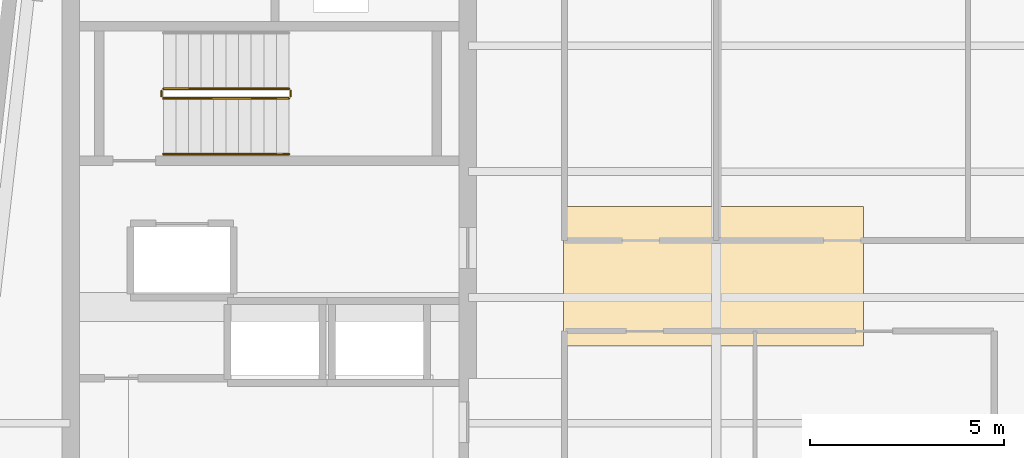
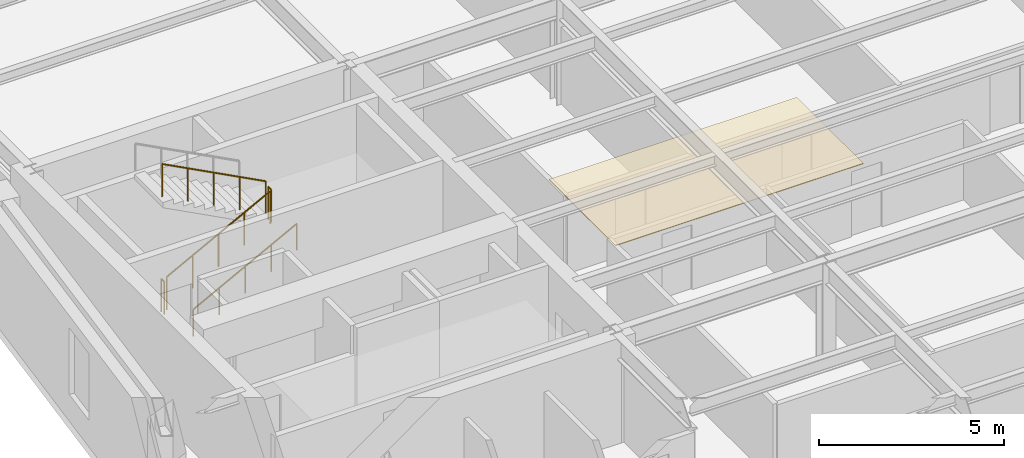
# One storey, part 11 of 14: 5 railings, 1 covering.
"""IFC4 building model written with IfcOpenShell, lengths in metres."""

import ifcopenshell
import ifcopenshell.guid

model = None  # the IFC model being written
_history = None  # IfcOwnerHistory: only IFC2X3 demands one
_inside = {}  # id of a spatial element -> (the spatial element, [elements in it])
_under = {}  # id of a project, library or spatial element -> (it, [spatial elements below it])
_declared = {}  # id of a project -> (the project, [libraries it declares])
_typed = {}  # id of a type object -> (the type object, [elements of that type])
_made_of = {}  # id of a material, layer set ... -> (it, [elements and type objects made of it])


def new_model(schema):
    """Start an empty IFC model of exactly this schema.

    Asked for "IFC4X3", IfcOpenShell would pick the latest addendum, in which some entities
    have other attributes; the version numbers below select the first issue.
    IFC2X3 requires an IfcOwnerHistory on every rooted entity: one is made here for all.
    """
    global model, _history
    if schema == "IFC4X3":
        model = ifcopenshell.file(schema_version=(4, 3, 0, 0))
    else:
        model = ifcopenshell.file(schema=schema)
    _inside.clear()
    _under.clear()
    _declared.clear()
    _typed.clear()
    _made_of.clear()
    _history = None
    if model.schema == "IFC2X3":
        org = make("IfcOrganization", Name="unknown")
        user = make(
            "IfcPersonAndOrganization",
            ThePerson=make("IfcPerson", FamilyName="unknown"),
            TheOrganization=org,
        )
        app = make(
            "IfcApplication",
            ApplicationDeveloper=org,
            Version="unknown",
            ApplicationFullName="unknown",
            ApplicationIdentifier="unknown",
        )
        _history = make(
            "IfcOwnerHistory",
            OwningUser=user,
            OwningApplication=app,
            ChangeAction="ADDED",
            CreationDate=0,
        )
    return model


def make(cls, **values):
    """One entity of the class cls with the attributes given. An attribute that is None is left unset."""
    return model.create_entity(
        cls, **{name: value for name, value in values.items() if value is not None}
    )


def rooted(cls, **values):
    """An entity with a GlobalId (a new one), such as an element, a storey or a relation."""
    return make(cls, GlobalId=ifcopenshell.guid.new(), OwnerHistory=_history, **values)


def si_unit(unit_type, name, prefix=None):
    """IfcSIUnit, for example si_unit("LENGTHUNIT", "METRE", prefix="MILLI")."""
    return make("IfcSIUnit", UnitType=unit_type, Prefix=prefix, Name=name)


def assignment(units):
    """IfcUnitAssignment: the units of a project."""
    return None if units is None else make("IfcUnitAssignment", Units=units)


def point(xyz):
    """IfcCartesianPoint."""
    return None if xyz is None else make("IfcCartesianPoint", Coordinates=xyz)


def direction(xyz):
    """IfcDirection."""
    return None if xyz is None else make("IfcDirection", DirectionRatios=xyz)


def frame(location, z_axis=None, x_axis=None):
    """IfcAxis2Placement3D, a coordinate frame: its origin and axes. An axis left out is left unset."""
    return make(
        "IfcAxis2Placement3D",
        Location=point(location),
        Axis=direction(z_axis),
        RefDirection=direction(x_axis),
    )


def frame_2d(location, x_axis=None):
    """IfcAxis2Placement2D, a coordinate frame in the plane: its origin and x axis."""
    return make(
        "IfcAxis2Placement2D", Location=point(location), RefDirection=direction(x_axis)
    )


def origin():
    """The frame at (0, 0, 0) with its axes left unset."""
    return frame((0.0, 0.0, 0.0))


def origin_2d():
    """The frame at (0, 0) in the plane with its x axis left unset."""
    return frame_2d((0.0, 0.0))


def place(relative_to, where):
    """IfcLocalPlacement: puts the frame where relative to a parent placement (None: the world)."""
    return make(
        "IfcLocalPlacement", PlacementRelTo=relative_to, RelativePlacement=where
    )


def context(
    kind, dimensions, precision=None, world=None, true_north=None, identifier=None
):
    """IfcGeometricRepresentationContext, for example the 3D "Model" context."""
    return make(
        "IfcGeometricRepresentationContext",
        ContextIdentifier=identifier,
        ContextType=kind,
        CoordinateSpaceDimension=dimensions,
        Precision=precision,
        WorldCoordinateSystem=world,
        TrueNorth=true_north,
    )


def subcontext(parent, identifier, kind, view, scale=None):
    """IfcGeometricRepresentationSubContext, for example "Body" below "Model"."""
    return make(
        "IfcGeometricRepresentationSubContext",
        ContextIdentifier=identifier,
        ContextType=kind,
        ParentContext=parent,
        TargetScale=scale,
        TargetView=view,
    )


def project(units=None, contexts=None):
    """IfcProject with its units and contexts."""
    return rooted(
        "IfcProject",
        Name="project",
        RepresentationContexts=contexts,
        UnitsInContext=assignment(units),
    )


def spatial(cls, under=None, at=None, **own):
    """A site, building, storey or space (cls), placed at a placement, below another one or the project."""
    s = rooted(cls, ObjectPlacement=at, **own)
    if under is not None:
        _under.setdefault(under.id(), (under, []))[1].append(s)
    return s


def polyline(points):
    """IfcPolyline through the points."""
    return make("IfcPolyline", Points=[point(p) for p in points])


def profile(cls, at=None, kind="AREA", **sizes):
    """A parametric profile (cls). Its sizes go by their IFC names, for example OverallWidth=200.0."""
    return make(cls, ProfileType=kind, Position=at, **sizes)


def circle(**sizes):
    """IfcCircleProfileDef."""
    return profile("IfcCircleProfileDef", **sizes)


def outline(outer, holes=None, kind="AREA"):
    """IfcArbitraryClosedProfileDef: a profile drawn as a closed curve; with holes, ...WithVoids."""
    if holes is None:
        return make("IfcArbitraryClosedProfileDef", ProfileType=kind, OuterCurve=outer)
    return make(
        "IfcArbitraryProfileDefWithVoids",
        ProfileType=kind,
        OuterCurve=outer,
        InnerCurves=holes,
    )


def extrude(swept, where, along, depth):
    """IfcExtrudedAreaSolid: the profile swept, set in the frame where, extruded along a direction by depth."""
    return make(
        "IfcExtrudedAreaSolid",
        SweptArea=swept,
        Position=where,
        ExtrudedDirection=direction(along),
        Depth=depth,
    )


def shape(context_of_items, identifier, shape_type, items):
    """IfcShapeRepresentation: the items that make up one representation, for example the "Body"."""
    return make(
        "IfcShapeRepresentation",
        ContextOfItems=context_of_items,
        RepresentationIdentifier=identifier,
        RepresentationType=shape_type,
        Items=items,
    )


def material(Name=None, Category=None):
    """IfcMaterial."""
    return make("IfcMaterial", Name=Name, Category=Category)


def layer(
    of_material, thickness, ventilated=None, Name=None, Category=None, Priority=None
):
    """IfcMaterialLayer: one layer of a wall or slab, of a material (None: an air gap)."""
    return make(
        "IfcMaterialLayer",
        Material=of_material,
        LayerThickness=thickness,
        IsVentilated=ventilated,
        Name=Name,
        Category=Category,
        Priority=Priority,
    )


def layer_set(layers, Name=None):
    """IfcMaterialLayerSet."""
    return make("IfcMaterialLayerSet", MaterialLayers=layers, LayerSetName=Name)


def made_of(thing, what):
    """Note that an element or type object is made of a material, layer set ...; save() writes the relation."""
    if what is not None:
        _made_of.setdefault(what.id(), (what, []))[1].append(thing)
    return thing


def type_object(cls, material=None, **own):
    """A type object (cls), such as IfcWallType, which elements share."""
    return made_of(rooted(cls, **own), material)


def element(
    cls,
    number,
    at=None,
    inside=None,
    cuts=None,
    type_object=None,
    material=None,
    context=None,
    identifier="Body",
    shape_type=None,
    held_by="IfcProductDefinitionShape",
    body=None,
    shapes=None,
    **own,
):
    """One element of the class cls, such as IfcWall. Its Tag is "e" and its number.

    at: its placement. inside: the storey or other place that contains it. cuts: it is an
    opening in that element (IfcRelVoidsElement). A single representation is given by context,
    identifier, shape_type and body (its items); several are given by shapes. held_by: the class
    of the entity that holds the representations. save() writes the other relations.
    """
    e = rooted(cls, Tag="e%d" % number, ObjectPlacement=at, **own)
    if body is not None:
        shapes = [shape(context, identifier, shape_type, body)]
    if shapes is not None:
        e.Representation = make(held_by, Representations=shapes)
    if inside is not None:
        _inside.setdefault(inside.id(), (inside, []))[1].append(e)
    if cuts is not None:
        rooted(
            "IfcRelVoidsElement", RelatingBuildingElement=cuts, RelatedOpeningElement=e
        )
    if type_object is not None:
        _typed.setdefault(type_object.id(), (type_object, []))[1].append(e)
    return made_of(e, material)


def aggregate(whole, parts):
    """IfcRelAggregates: a whole, such as a stair, and the parts it consists of."""
    return rooted("IfcRelAggregates", RelatingObject=whole, RelatedObjects=parts)


def save(model, path):
    """Write the relations noted so far, then the file.

    IfcRelAggregates (storeys below a building ...), IfcRelContainedInSpatialStructure (elements
    in a storey), IfcRelDefinesByType, IfcRelAssociatesMaterial and IfcRelDeclares: one each for
    every whole, place, type object, material and project.
    """
    for whole, parts in _under.values():
        aggregate(whole, parts)
    for where, things in _inside.values():
        rooted(
            "IfcRelContainedInSpatialStructure",
            RelatedElements=things,
            RelatingStructure=where,
        )
    for kind, things in _typed.values():
        rooted("IfcRelDefinesByType", RelatedObjects=things, RelatingType=kind)
    for what, things in _made_of.values():
        rooted("IfcRelAssociatesMaterial", RelatedObjects=things, RelatingMaterial=what)
    for by, libraries in _declared.values():
        rooted("IfcRelDeclares", RelatingContext=by, RelatedDefinitions=libraries)
    model.write(path)


model = new_model("IFC4")

# Units and contexts
model_context = context("Model", 3, precision=1e-05, world=origin(), true_north=direction((0.0, 1.0)))
body_context = subcontext(model_context, "Body", "Model", "MODEL_VIEW")
ifc_project = project(units=[si_unit("LENGTHUNIT", "METRE"), si_unit("AREAUNIT", "SQUARE_METRE"), si_unit("VOLUMEUNIT", "CUBIC_METRE"), si_unit("PLANEANGLEUNIT", "RADIAN"), si_unit("MASSUNIT", "GRAM", prefix="KILO")], contexts=[model_context])

# Site, building, storey
site_placement = place(None, origin())
site = spatial("IfcSite", under=ifc_project, at=site_placement, CompositionType="ELEMENT")
building_placement = place(site_placement, origin())
building = spatial("IfcBuilding", under=site, at=building_placement, Name="Kolvaren Arena Tower", CompositionType="ELEMENT")
storey_placement = place(building_placement, frame((0.0, 0.0, 224.699951171875)))
storey = spatial("IfcBuildingStorey", under=building, at=storey_placement, Name="L54", CompositionType="ELEMENT", Elevation=224.699951171875)

# Covering
ifc_material_1 = material(Name="Mineral fibre acoustic ceiling tile", Category="gypsum")
ifc_layer = layer(ifc_material_1, 0.02490234375)
ifc_layer_set = layer_set([ifc_layer], Name="Mineral fibre acoustic ceiling tile")
covering_type = type_object("IfcCoveringType", Name="CEIL-ACT-1", PredefinedType="CEILING", material=ifc_layer_set)
covering_placement = place(storey_placement, frame((0.0, 0.0, 2.52001953125)))
element("IfcCovering", 1, at=covering_placement, inside=storey, type_object=covering_type, Name="Suspended Ceiling (L54)", PredefinedType="CEILING", context=body_context, shape_type="SweptSolid", body=[
    extrude(outline(polyline([(27.050048828125, 24.0), (27.050048828125, 27.60009765625), (34.800048828125, 27.60009765625), (34.800048828125, 24.0), (27.050048828125, 24.0)])), origin(), (0.0, 0.0, 1.0), 0.025146484375),
])

# Railings
ifc_material_2 = material(Name="Painted galvanized steel", Category="steel")
railing_type_1 = type_object("IfcRailingType", Name="GUARD-ST-110", PredefinedType="GUARDRAIL", material=ifc_material_2)
railing_1_placement = place(storey_placement, frame((16.719970703125, 30.389892578125, 0.17041015625)))
element("IfcRailing", 2, at=railing_1_placement, inside=storey, type_object=railing_type_1, Name="L54 ST-W1 stair guard 1", PredefinedType="GUARDRAIL", context=body_context, shape_type="SweptSolid", body=[
    extrude(circle(Radius=0.02392578125, at=origin_2d()), frame((0.0, 0.0, 1.076171875), z_axis=(0.884993431791, 0.0, 0.465603506952), x_axis=(0.0, 1.0, 0.0)), (0.0, 0.0, 1.0), 3.6611328125),
    extrude(circle(Radius=0.02099609375, at=origin_2d()), origin(), (0.0, 0.0, 1.0), 1.052001953125),
    extrude(circle(Radius=0.02099609375, at=origin_2d()), frame((0.81005859375, 0.0, 0.42626953125)), (0.0, 0.0, 1.0), 1.052001953125),
    extrude(circle(Radius=0.02099609375, at=origin_2d()), frame((1.6201171875, 0.0, 0.852294921875)), (0.0, 0.0, 1.0), 1.052001953125),
    extrude(circle(Radius=0.02099609375, at=origin_2d()), frame((2.429931640625, 0.0, 1.2783203125)), (0.0, 0.0, 1.0), 1.052001953125),
    extrude(circle(Radius=0.02099609375, at=origin_2d()), frame((3.239990234375, 0.0, 1.70458984375)), (0.0, 0.0, 1.0), 1.052001953125),
])
railing_2_placement = place(storey_placement, frame((20.010009765625, 30.43994140625, 1.875)))
element("IfcRailing", 3, at=railing_2_placement, inside=storey, type_object=railing_type_1, Name="L54 ST-W1 stair guard 2", PredefinedType="GUARDRAIL", context=body_context, shape_type="SweptSolid", body=[
    extrude(circle(Radius=0.02392578125, at=origin_2d()), frame((0.0, 0.0, 1.076171875), z_axis=(0.0, 1.0, 0.0), x_axis=(-1.0, 0.0, 0.0)), (0.0, 0.0, 1.0), 0.150146484375),
    extrude(circle(Radius=0.02099609375, at=origin_2d()), origin(), (0.0, 0.0, 1.0), 1.052001953125),
    extrude(circle(Radius=0.02099609375, at=origin_2d()), frame((0.0, 0.150146484375, 0.0)), (0.0, 0.0, 1.0), 1.052001953125),
])
railing_3_placement = place(storey_placement, frame((19.9599609375, 30.639892578125, 2.04541015625)))
element("IfcRailing", 4, at=railing_3_placement, inside=storey, type_object=railing_type_1, Name="L54 ST-W1 stair guard 3", PredefinedType="GUARDRAIL", context=body_context, shape_type="SweptSolid", body=[
    extrude(circle(Radius=0.02392578125, at=origin_2d()), frame((0.0, 0.0, 1.076171875), z_axis=(-0.884993431791, 0.0, 0.465603506952), x_axis=(0.0, -1.0, 0.0)), (0.0, 0.0, 1.0), 3.6611328125),
    extrude(circle(Radius=0.02099609375, at=origin_2d()), origin(), (0.0, 0.0, 1.0), 1.052001953125),
    extrude(circle(Radius=0.02099609375, at=origin_2d()), frame((-0.81005859375, 0.0, 0.42626953125)), (0.0, 0.0, 1.0), 1.052001953125),
    extrude(circle(Radius=0.02099609375, at=origin_2d()), frame((-1.6201171875, 0.0, 0.852294921875)), (0.0, 0.0, 1.0), 1.052001953125),
    extrude(circle(Radius=0.02099609375, at=origin_2d()), frame((-2.429931640625, 0.0, 1.2783203125)), (0.0, 0.0, 1.0), 1.052001953125),
    extrude(circle(Radius=0.02099609375, at=origin_2d()), frame((-3.239990234375, 0.0, 1.70458984375)), (0.0, 0.0, 1.0), 1.052001953125),
])
railing_4_placement = place(storey_placement, frame((16.669921875, 30.43994140625, 0.0)))
element("IfcRailing", 5, at=railing_4_placement, inside=storey, type_object=railing_type_1, Name="L54 ST-W1 stair guard 4", PredefinedType="GUARDRAIL", context=body_context, shape_type="SweptSolid", body=[
    extrude(circle(Radius=0.02392578125, at=origin_2d()), frame((0.0, 0.0, 1.076171875), z_axis=(0.0, 1.0, 0.0), x_axis=(-1.0, 0.0, 0.0)), (0.0, 0.0, 1.0), 0.150146484375),
    extrude(circle(Radius=0.02099609375, at=origin_2d()), origin(), (0.0, 0.0, 1.0), 1.052001953125),
    extrude(circle(Radius=0.02099609375, at=origin_2d()), frame((0.0, 0.150146484375, 0.0)), (0.0, 0.0, 1.0), 1.052001953125),
])
ifc_material_3 = material(Name="Brushed stainless steel handrail", Category="steel")
railing_type_2 = type_object("IfcRailingType", Name="HRAIL-900", PredefinedType="HANDRAIL", material=ifc_material_3)
railing_5_placement = place(storey_placement, frame((16.719970703125, 28.949951171875, 0.17041015625)))
element("IfcRailing", 6, at=railing_5_placement, inside=storey, type_object=railing_type_2, Name="L54 ST-W1 stair handrail 1", PredefinedType="HANDRAIL", context=body_context, shape_type="SweptSolid", body=[
    extrude(circle(Radius=0.02392578125, at=origin_2d()), frame((0.0, 0.0, 0.8759765625), z_axis=(0.884993431791, 0.0, 0.465603506952), x_axis=(0.0, 1.0, 0.0)), (0.0, 0.0, 1.0), 3.6611328125),
    extrude(circle(Radius=0.02099609375, at=origin_2d()), origin(), (0.0, 0.0, 1.0), 0.851806640625),
    extrude(circle(Radius=0.02099609375, at=origin_2d()), frame((0.81005859375, 0.0, 0.42626953125)), (0.0, 0.0, 1.0), 0.851806640625),
    extrude(circle(Radius=0.02099609375, at=origin_2d()), frame((1.6201171875, 0.0, 0.852294921875)), (0.0, 0.0, 1.0), 0.851806640625),
    extrude(circle(Radius=0.02099609375, at=origin_2d()), frame((2.429931640625, 0.0, 1.2783203125)), (0.0, 0.0, 1.0), 0.851806640625),
    extrude(circle(Radius=0.02099609375, at=origin_2d()), frame((3.239990234375, 0.0, 1.70458984375)), (0.0, 0.0, 1.0), 0.851806640625),
])

save(model, "model.ifc")
